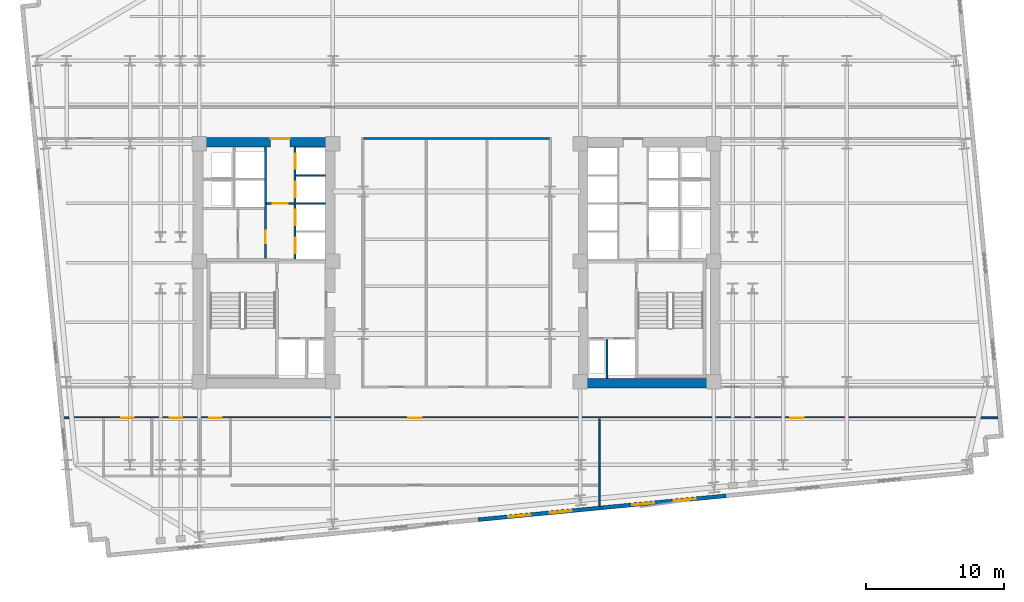
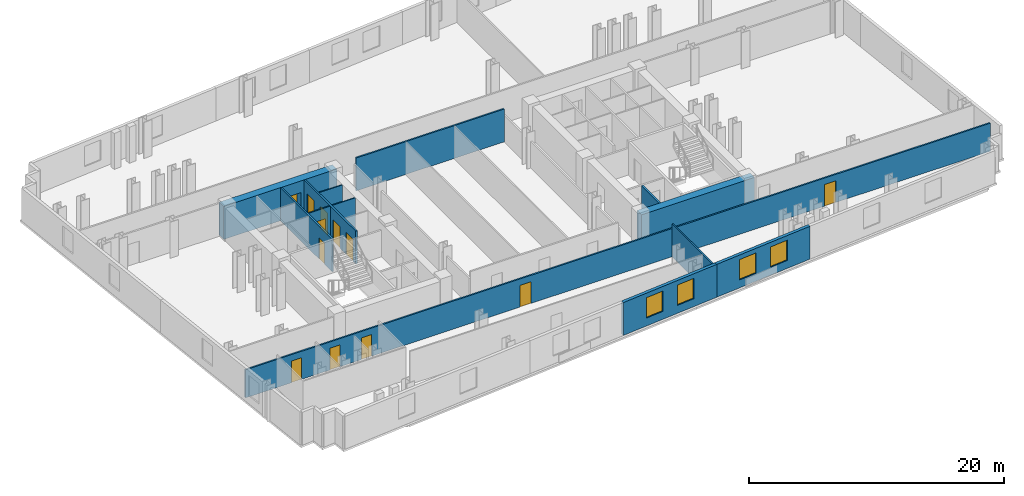
# One storey, part 5 of 10: 13 walls, 12 doors, 4 windows, 16 openings.
"""IFC4 building model written with IfcOpenShell, lengths in metres."""

from ifc_helpers import new_model, si_unit, direction, frame, frame_2d, origin, place, context, subcontext, project, spatial, rectangle, extrude, material, layer, layer_set, type_object, element, fill, save


model = new_model("IFC4")

# Units and contexts
model_context = context("Model", 3, precision=1e-05, world=origin(), true_north=direction((0.0, 1.0)))
body_context = subcontext(model_context, "Body", "Model", "MODEL_VIEW")
ifc_project = project(units=[si_unit("LENGTHUNIT", "METRE"), si_unit("AREAUNIT", "SQUARE_METRE"), si_unit("VOLUMEUNIT", "CUBIC_METRE"), si_unit("PLANEANGLEUNIT", "RADIAN"), si_unit("MASSUNIT", "GRAM", prefix="KILO")], contexts=[model_context])

# Site, building, storey
site_placement = place(None, origin())
site = spatial("IfcSite", under=ifc_project, at=site_placement, CompositionType="ELEMENT")
building_placement = place(site_placement, origin())
building = spatial("IfcBuilding", under=site, at=building_placement, Name="Velakula Bourse", CompositionType="ELEMENT")
storey_placement = place(building_placement, frame((0.0, 0.0, 108.699951171875)))
storey = spatial("IfcBuildingStorey", under=building, at=storey_placement, Name="L29", CompositionType="ELEMENT", Elevation=108.699951171875)

# Wall, opening, door
ifc_material_1 = material(Name="Concrete M70 (fck 70 MPa)", Category="concrete")
ifc_layer_1 = layer(ifc_material_1, 0.699951171875, Name="Concrete M70 (fck 70 MPa)", Category="concrete")
ifc_layer_set_1 = layer_set([ifc_layer_1], Name="Concrete M70 (fck 70 MPa)")
wall_type_1 = type_object("IfcWallType", Name="WL-CORE-700", PredefinedType="SHEAR", material=ifc_layer_set_1)
wall_1_placement = place(storey_placement, frame((-19.050048828125, 8.699951171875, 0.0), z_axis=(0.0, 0.0, 1.0), x_axis=(1.0, 0.0, 0.0)))
wall_1 = element("IfcWall", 1, at=wall_1_placement, inside=storey, type_object=wall_type_1, Name="L29 Core W Shear Wall N", PredefinedType="SHEAR", context=body_context, shape_type="SweptSolid", body=[
    extrude(rectangle(XDim=10.25, YDim=0.699951171875, at=frame_2d((5.125, 0.0))), origin(), (0.0, 0.0, 1.0), 3.170166015625),
])
opening_1_placement = place(wall_1_placement, frame((5.60009765625, 0.0, 0.0)))
opening_1 = element("IfcOpeningElement", 2, at=opening_1_placement, cuts=wall_1, Name="Opening D-LLW", PredefinedType="OPENING", context=body_context, shape_type="SweptSolid", body=[
    extrude(rectangle(XDim=1.39990234375, YDim=2.050048828125, at=frame_2d((0.699951171875, 1.02490234375))), frame((0.0, 0.35986328125, 0.0), z_axis=(0.0, -1.0, 0.0), x_axis=(1.0, 0.0, 0.0)), (0.0, 0.0, 1.0), 0.719970703125),
])
ifc_material_2 = material(Name="Fire-rated hardwood flush architectural door", Category="wood")
door_type_1 = type_object("IfcDoorType", Name="DR-DBL-FD60-1400", OperationType="DOUBLE_DOOR_SINGLE_SWING", PredefinedType="DOOR", material=ifc_material_2)
door_1_placement = place(opening_1_placement, origin())
door_1 = element("IfcDoor", 3, at=door_1_placement, inside=storey, type_object=door_type_1, Name="L29 Core W Lift Lobby Corridor Double Door", OperationType="DOUBLE_DOOR_SINGLE_SWING", OverallHeight=2.050048828125, OverallWidth=1.39990234375, PredefinedType="DOOR", context=body_context, shape_type="SweptSolid", body=[
    extrude(rectangle(XDim=1.39990234375, YDim=2.050048828125, at=frame_2d((0.699951171875, 1.02490234375))), frame((0.0, 0.294921875, 0.0), z_axis=(0.0, -1.0, 0.0), x_axis=(1.0, 0.0, 0.0)), (0.0, 0.0, 1.0), 0.050048828125),
])
fill(opening_1, door_1)

# Wall
wall_2_placement = place(storey_placement, frame((8.800048828125, -8.699951171875, 0.0), z_axis=(0.0, 0.0, 1.0), x_axis=(1.0, 0.0, 0.0)))
element("IfcWall", 4, at=wall_2_placement, inside=storey, type_object=wall_type_1, Name="L29 Core E Shear Wall S", PredefinedType="SHEAR", context=body_context, shape_type="SweptSolid", body=[
    extrude(rectangle(XDim=10.25, YDim=0.699951171875, at=frame_2d((5.125, 0.0))), origin(), (0.0, 0.0, 1.0), 3.170166015625),
])

# Wall, openings, windows
ifc_material_3 = material(Name="Red kilned clay facing brick masonry", Category="masonry")
ifc_layer_2 = layer(ifc_material_3, 0.280029296875, Name="Red kilned clay facing brick masonry", Category="masonry")
ifc_layer_set_2 = layer_set([ifc_layer_2], Name="Red kilned clay facing brick masonry")
wall_type_2 = type_object("IfcWallType", Name="WL-EXT-BRK-280", PredefinedType="STANDARD", material=ifc_layer_set_2)
wall_3_placement = place(storey_placement, frame((10.51513671875, -17.7109375, 0.0), z_axis=(0.0, 0.0, 1.0), x_axis=(-0.995397043619, -0.095836973841, 0.0)))
wall_3 = element("IfcWall", 5, at=wall_3_placement, inside=storey, type_object=wall_type_2, Name="L29 S Brick Spandrel Wall B3", PredefinedType="STANDARD", context=body_context, shape_type="SweptSolid", body=[
    extrude(rectangle(XDim=9.000244140625, YDim=0.280029296875, at=frame_2d((4.5, 0.0))), origin(), (0.0, 0.0, 1.0), 3.150146484375),
])
opening_2_placement = place(wall_3_placement, frame((2.199951171875, 0.0, 0.760009765625)))
opening_2 = element("IfcOpeningElement", 6, at=opening_2_placement, cuts=wall_3, Name="Opening W-02", PredefinedType="OPENING", context=body_context, shape_type="SweptSolid", body=[
    extrude(rectangle(XDim=1.60009765625, YDim=1.949951171875, at=frame_2d((0.800048828125, 0.97509765625))), frame((0.0, 0.14990234375, 0.0), z_axis=(0.0, -1.0, 0.0), x_axis=(1.0, 0.0, 0.0)), (0.0, 0.0, 1.0), 0.300048828125),
])
opening_3_placement = place(wall_3_placement, frame((5.199951171875, 0.0, 0.760009765625)))
opening_3 = element("IfcOpeningElement", 7, at=opening_3_placement, cuts=wall_3, Name="Opening W-02", PredefinedType="OPENING", context=body_context, shape_type="SweptSolid", body=[
    extrude(rectangle(XDim=1.60009765625, YDim=1.949951171875, at=frame_2d((0.800048828125, 0.97509765625))), frame((0.0, 0.14990234375, 0.0), z_axis=(0.0, -1.0, 0.0), x_axis=(1.0, 0.0, 0.0)), (0.0, 0.0, 1.0), 0.300048828125),
])
ifc_material_4 = material(Name="Double-glazed solar-control Low-E glass", Category="glass")
window_type = type_object("IfcWindowType", Name="WIN-TWR-1600x2100", PartitioningType="SINGLE_PANEL", PredefinedType="WINDOW", material=ifc_material_4)
window_1_placement = place(opening_2_placement, origin())
window_1 = element("IfcWindow", 8, at=window_1_placement, inside=storey, type_object=window_type, Name="L29 Deep-Set Recessed Window 1", OverallHeight=1.949951171875, OverallWidth=1.60009765625, PartitioningType="SINGLE_PANEL", PredefinedType="WINDOW", context=body_context, shape_type="SweptSolid", body=[
    extrude(rectangle(XDim=1.60009765625, YDim=1.949951171875, at=frame_2d((0.800048828125, 0.97509765625))), frame((0.0, 0.030029296875, 0.0), z_axis=(0.0, -1.0, 0.0), x_axis=(1.0, 0.0, 0.0)), (0.0, 0.0, 1.0), 0.06005859375),
])
fill(opening_2, window_1)
window_2_placement = place(opening_3_placement, origin())
window_2 = element("IfcWindow", 9, at=window_2_placement, inside=storey, type_object=window_type, Name="L29 Deep-Set Recessed Window 2", OverallHeight=1.949951171875, OverallWidth=1.60009765625, PartitioningType="SINGLE_PANEL", PredefinedType="WINDOW", context=body_context, shape_type="SweptSolid", body=[
    extrude(rectangle(XDim=1.60009765625, YDim=1.949951171875, at=frame_2d((0.800048828125, 0.97509765625))), frame((0.0, 0.030029296875, 0.0), z_axis=(0.0, -1.0, 0.0), x_axis=(1.0, 0.0, 0.0)), (0.0, 0.0, 1.0), 0.06005859375),
])
fill(opening_3, window_2)

wall_4_placement = place(storey_placement, frame((19.4736328125, -16.848388671875, 0.0), z_axis=(0.0, 0.0, 1.0), x_axis=(-0.995396794462, -0.09583956164, 0.0)))
wall_4 = element("IfcWall", 10, at=wall_4_placement, inside=storey, type_object=wall_type_2, Name="L29 S Brick Spandrel Wall B4", PredefinedType="STANDARD", context=body_context, shape_type="SweptSolid", body=[
    extrude(rectangle(XDim=9.0, YDim=0.280029296875, at=frame_2d((4.5, 0.0))), origin(), (0.0, 0.0, 1.0), 3.150146484375),
])
opening_4_placement = place(wall_4_placement, frame((2.199951171875, 0.0, 0.760009765625)))
opening_4 = element("IfcOpeningElement", 11, at=opening_4_placement, cuts=wall_4, Name="Opening W-02", PredefinedType="OPENING", context=body_context, shape_type="SweptSolid", body=[
    extrude(rectangle(XDim=1.60009765625, YDim=1.949951171875, at=frame_2d((0.800048828125, 0.97509765625))), frame((0.0, 0.14990234375, 0.0), z_axis=(0.0, -1.0, 0.0), x_axis=(1.0, 0.0, 0.0)), (0.0, 0.0, 1.0), 0.300048828125),
])
opening_5_placement = place(wall_4_placement, frame((5.199951171875, 0.0, 0.760009765625)))
opening_5 = element("IfcOpeningElement", 12, at=opening_5_placement, cuts=wall_4, Name="Opening W-02", PredefinedType="OPENING", context=body_context, shape_type="SweptSolid", body=[
    extrude(rectangle(XDim=1.60009765625, YDim=1.949951171875, at=frame_2d((0.800048828125, 0.97509765625))), frame((0.0, 0.14990234375, 0.0), z_axis=(0.0, -1.0, 0.0), x_axis=(1.0, 0.0, 0.0)), (0.0, 0.0, 1.0), 0.300048828125),
])
window_3_placement = place(opening_4_placement, origin())
window_3 = element("IfcWindow", 13, at=window_3_placement, inside=storey, type_object=window_type, Name="L29 Deep-Set Recessed Window 1", OverallHeight=1.949951171875, OverallWidth=1.60009765625, PartitioningType="SINGLE_PANEL", PredefinedType="WINDOW", context=body_context, shape_type="SweptSolid", body=[
    extrude(rectangle(XDim=1.60009765625, YDim=1.949951171875, at=frame_2d((0.800048828125, 0.97509765625))), frame((0.0, 0.030029296875, 0.0), z_axis=(0.0, -1.0, 0.0), x_axis=(1.0, 0.0, 0.0)), (0.0, 0.0, 1.0), 0.06005859375),
])
fill(opening_4, window_3)
window_4_placement = place(opening_5_placement, origin())
window_4 = element("IfcWindow", 14, at=window_4_placement, inside=storey, type_object=window_type, Name="L29 Deep-Set Recessed Window 2", OverallHeight=1.949951171875, OverallWidth=1.60009765625, PartitioningType="SINGLE_PANEL", PredefinedType="WINDOW", context=body_context, shape_type="SweptSolid", body=[
    extrude(rectangle(XDim=1.60009765625, YDim=1.949951171875, at=frame_2d((0.800048828125, 0.97509765625))), frame((0.0, 0.030029296875, 0.0), z_axis=(0.0, -1.0, 0.0), x_axis=(1.0, 0.0, 0.0)), (0.0, 0.0, 1.0), 0.06005859375),
])
fill(opening_5, window_4)

# Wall, opening, door
ifc_material_5 = material(Name="Fire-rated double-layer gypsum drywall partition", Category="gypsum")
ifc_layer_3 = layer(ifc_material_5, 0.1201171875, Name="Fire-rated double-layer gypsum drywall partition", Category="gypsum")
ifc_layer_set_3 = layer_set([ifc_layer_3], Name="Fire-rated double-layer gypsum drywall partition")
wall_type_3 = type_object("IfcWallType", Name="WL-PART-120", PredefinedType="STANDARD", material=ifc_layer_set_3)
wall_5_placement = place(storey_placement, frame((-13.75, 4.280029296875, 0.0), z_axis=(0.0, 0.0, 1.0), x_axis=(1.0, 0.0, 0.0)))
wall_5 = element("IfcWall", 15, at=wall_5_placement, inside=storey, type_object=wall_type_3, Name="L29 Interior Partition WL-CRW-L29-LL-K2", PredefinedType="STANDARD", context=body_context, shape_type="SweptSolid", body=[
    extrude(rectangle(XDim=2.0, YDim=0.1201171875, at=frame_2d((1.0, 0.0))), origin(), (0.0, 0.0, 1.0), 3.150146484375),
])
opening_6_placement = place(wall_5_placement, frame((0.449951171875, 0.0, 0.0)))
opening_6 = element("IfcOpeningElement", 16, at=opening_6_placement, cuts=wall_5, Name="Opening D-LK2", PredefinedType="OPENING", context=body_context, shape_type="SweptSolid", body=[
    extrude(rectangle(XDim=1.10009765625, YDim=2.10009765625, at=frame_2d((0.550048828125, 1.050048828125))), frame((0.0, 0.070068359375, 0.0), z_axis=(0.0, -1.0, 0.0), x_axis=(1.0, 0.0, 0.0)), (0.0, 0.0, 1.0), 0.14013671875),
])
door_type_2 = type_object("IfcDoorType", Name="DR-FD60-1100x2100", OperationType="NOTDEFINED", PredefinedType="DOOR", material=ifc_material_2)
door_2_placement = place(opening_6_placement, origin())
door_2 = element("IfcDoor", 17, at=door_2_placement, inside=storey, type_object=door_type_2, Name="L29 Core W Lift Lobby Zone Door", OperationType="SINGLE_SWING_RIGHT", OverallHeight=2.10009765625, OverallWidth=1.10009765625, PredefinedType="DOOR", context=body_context, shape_type="SweptSolid", body=[
    extrude(rectangle(XDim=1.10009765625, YDim=2.10009765625, at=frame_2d((0.550048828125, 1.050048828125))), frame((0.0, 0.02490234375, 0.0), z_axis=(0.0, -1.0, 0.0), x_axis=(1.0, 0.0, 0.0)), (0.0, 0.0, 1.0), 0.050048828125),
])
fill(opening_6, door_2)

# Walls
for number, where, z_axis, x_axis, name in (
    (18, (-11.60009765625, 4.284912109375, 0.0), (0.0, 0.0, 1.0), (1.0, 0.0, 0.0), "L29 Interior Partition WL-CRW-L29-BDIV-1"),
    (19, (-11.60009765625, 6.31494140625, 0.0), (0.0, 0.0, 1.0), (1.0, 0.0, 0.0), "L29 Interior Partition WL-CRW-L29-BDIV-2"),
):
    element("IfcWall", number, at=place(storey_placement, frame(where, z_axis=z_axis, x_axis=x_axis)), inside=storey, type_object=wall_type_3, Name=name, PredefinedType="STANDARD", context=body_context, shape_type="SweptSolid", body=[
        extrude(rectangle(XDim=2.10009765625, YDim=0.110107421875, at=frame_2d((1.050048828125, 0.0))), origin(), (0.0, 0.0, 1.0), 3.150146484375),
    ])
wall_6_placement = place(storey_placement, frame((10.31689453125, -17.609375, 0.0), z_axis=(0.0, 0.0, 1.0), x_axis=(0.0, 1.0, 0.0)))
element("IfcWall", 20, at=wall_6_placement, inside=storey, type_object=wall_type_3, Name="L29 Interior Partition WL-INT-L29-SR-D5", PredefinedType="STANDARD", context=body_context, shape_type="SweptSolid", body=[
    extrude(rectangle(XDim=6.3193359375, YDim=0.1201171875, at=frame_2d((3.15966796875, 0.0))), origin(), (0.0, 0.0, 1.0), 3.150146484375),
])

# Wall, openings, doors
ifc_layer_4 = layer(ifc_material_5, 0.139892578125, Name="Fire-rated double-layer gypsum drywall partition", Category="gypsum")
ifc_layer_set_4 = layer_set([ifc_layer_4], Name="Fire-rated double-layer gypsum drywall partition")
wall_type_4 = type_object("IfcWallType", Name="WL-PART-140", PredefinedType="STANDARD", material=ifc_layer_set_4)
wall_7_placement = place(storey_placement, frame((-28.40625, -11.219970703125, 0.0), z_axis=(0.0, 0.0, 1.0), x_axis=(1.0, 0.0, 0.0)))
wall_7 = element("IfcWall", 21, at=wall_7_placement, inside=storey, type_object=wall_type_4, Name="L29 Interior Partition WL-INT-L29-S-CORR", PredefinedType="STANDARD", context=body_context, shape_type="SweptSolid", body=[
    extrude(rectangle(XDim=67.551025390625, YDim=0.139892578125, at=frame_2d((33.775390625, 0.0))), origin(), (0.0, 0.0, 1.0), 2.695068359375),
])
opening_7_placement = place(wall_7_placement, frame((4.1572265625, 0.0, 0.0)))
opening_7 = element("IfcOpeningElement", 22, at=opening_7_placement, cuts=wall_7, Name="Opening D-WT1", PredefinedType="OPENING", context=body_context, shape_type="SweptSolid", body=[
    extrude(rectangle(XDim=0.919921875, YDim=2.080078125, at=frame_2d((0.4599609375, 1.0400390625))), frame((0.0, 0.079833984375, 0.0), z_axis=(0.0, -1.0, 0.0), x_axis=(1.0, 0.0, 0.0)), (0.0, 0.0, 1.0), 0.159912109375),
])
opening_8_placement = place(wall_7_placement, frame((7.6572265625, 0.0, 0.0)))
opening_8 = element("IfcOpeningElement", 23, at=opening_8_placement, cuts=wall_7, Name="Opening D-WT1", PredefinedType="OPENING", context=body_context, shape_type="SweptSolid", body=[
    extrude(rectangle(XDim=0.919921875, YDim=2.080078125, at=frame_2d((0.4599609375, 1.0400390625))), frame((0.0, 0.079833984375, 0.0), z_axis=(0.0, -1.0, 0.0), x_axis=(1.0, 0.0, 0.0)), (0.0, 0.0, 1.0), 0.159912109375),
])
opening_9_placement = place(wall_7_placement, frame((10.50732421875, 0.0, 0.0)))
opening_9 = element("IfcOpeningElement", 24, at=opening_9_placement, cuts=wall_7, Name="Opening D-WC1", PredefinedType="OPENING", context=body_context, shape_type="SweptSolid", body=[
    extrude(rectangle(XDim=0.919921875, YDim=2.080078125, at=frame_2d((0.4599609375, 1.0400390625))), frame((0.0, 0.079833984375, 0.0), z_axis=(0.0, -1.0, 0.0), x_axis=(1.0, 0.0, 0.0)), (0.0, 0.0, 1.0), 0.159912109375),
])
opening_10_placement = place(wall_7_placement, frame((24.895263671875, 0.0, 0.0)))
opening_10 = element("IfcOpeningElement", 25, at=opening_10_placement, cuts=wall_7, Name="Opening D-OF1", PredefinedType="OPENING", context=body_context, shape_type="SweptSolid", body=[
    extrude(rectangle(XDim=1.0, YDim=2.080078125, at=frame_2d((0.5, 1.0400390625))), frame((0.0, 0.079833984375, 0.0), z_axis=(0.0, -1.0, 0.0), x_axis=(1.0, 0.0, 0.0)), (0.0, 0.0, 1.0), 0.159912109375),
])
opening_11_placement = place(wall_7_placement, frame((52.510986328125, 0.0, 0.0)))
opening_11 = element("IfcOpeningElement", 26, at=opening_11_placement, cuts=wall_7, Name="Opening D-OF1", PredefinedType="OPENING", context=body_context, shape_type="SweptSolid", body=[
    extrude(rectangle(XDim=1.0, YDim=2.080078125, at=frame_2d((0.5, 1.0400390625))), frame((0.0, 0.079833984375, 0.0), z_axis=(0.0, -1.0, 0.0), x_axis=(1.0, 0.0, 0.0)), (0.0, 0.0, 1.0), 0.159912109375),
])
door_type_3 = type_object("IfcDoorType", Name="DR-OFF-1000", OperationType="NOTDEFINED", PredefinedType="DOOR", material=ifc_material_2)
door_3_placement = place(opening_10_placement, origin())
door_3 = element("IfcDoor", 27, at=door_3_placement, inside=storey, type_object=door_type_3, Name="L29 Margin Control Office Door", OperationType="SINGLE_SWING_RIGHT", OverallHeight=2.080078125, OverallWidth=1.0, PredefinedType="DOOR", context=body_context, shape_type="SweptSolid", body=[
    extrude(rectangle(XDim=1.0, YDim=2.080078125, at=frame_2d((0.5, 1.0400390625))), frame((0.0, 0.02490234375, 0.0), z_axis=(0.0, -1.0, 0.0), x_axis=(1.0, 0.0, 0.0)), (0.0, 0.0, 1.0), 0.050048828125),
])
fill(opening_10, door_3)
door_4_placement = place(opening_11_placement, origin())
door_4 = element("IfcDoor", 28, at=door_4_placement, inside=storey, type_object=door_type_3, Name="L29 Bullion Assay Office Door", OperationType="SINGLE_SWING_RIGHT", OverallHeight=2.080078125, OverallWidth=1.0, PredefinedType="DOOR", context=body_context, shape_type="SweptSolid", body=[
    extrude(rectangle(XDim=1.0, YDim=2.080078125, at=frame_2d((0.5, 1.0400390625))), frame((0.0, 0.02490234375, 0.0), z_axis=(0.0, -1.0, 0.0), x_axis=(1.0, 0.0, 0.0)), (0.0, 0.0, 1.0), 0.050048828125),
])
fill(opening_11, door_4)
door_type_4 = type_object("IfcDoorType", Name="DR-WC-950", OperationType="NOTDEFINED", PredefinedType="DOOR", material=ifc_material_2)
door_5_placement = place(opening_7_placement, origin())
door_5 = element("IfcDoor", 29, at=door_5_placement, inside=storey, type_object=door_type_4, Name="L29 Male Staff Toilet Door", OperationType="SINGLE_SWING_LEFT", OverallHeight=2.080078125, OverallWidth=0.919921875, PredefinedType="DOOR", context=body_context, shape_type="SweptSolid", body=[
    extrude(rectangle(XDim=0.919921875, YDim=2.080078125, at=frame_2d((0.4599609375, 1.0400390625))), frame((0.0, 0.02490234375, 0.0), z_axis=(0.0, -1.0, 0.0), x_axis=(1.0, 0.0, 0.0)), (0.0, 0.0, 1.0), 0.050048828125),
])
fill(opening_7, door_5)
door_6_placement = place(opening_8_placement, origin())
door_6 = element("IfcDoor", 30, at=door_6_placement, inside=storey, type_object=door_type_4, Name="L29 Female Staff Toilet Door", OperationType="SINGLE_SWING_RIGHT", OverallHeight=2.080078125, OverallWidth=0.919921875, PredefinedType="DOOR", context=body_context, shape_type="SweptSolid", body=[
    extrude(rectangle(XDim=0.919921875, YDim=2.080078125, at=frame_2d((0.4599609375, 1.0400390625))), frame((0.0, 0.02490234375, 0.0), z_axis=(0.0, -1.0, 0.0), x_axis=(1.0, 0.0, 0.0)), (0.0, 0.0, 1.0), 0.050048828125),
])
fill(opening_8, door_6)
door_7_placement = place(opening_9_placement, origin())
door_7 = element("IfcDoor", 31, at=door_7_placement, inside=storey, type_object=door_type_4, Name="L29 Accessible WC Door", OperationType="SINGLE_SWING_LEFT", OverallHeight=2.080078125, OverallWidth=0.919921875, PredefinedType="DOOR", context=body_context, shape_type="SweptSolid", body=[
    extrude(rectangle(XDim=0.919921875, YDim=2.080078125, at=frame_2d((0.4599609375, 1.0400390625))), frame((0.0, 0.02490234375, 0.0), z_axis=(0.0, -1.0, 0.0), x_axis=(1.0, 0.0, 0.0)), (0.0, 0.0, 1.0), 0.050048828125),
])
fill(opening_9, door_7)

# Wall
wall_8_placement = place(storey_placement, frame((-6.7099609375, 8.97998046875, 0.0), z_axis=(0.0, 0.0, 1.0), x_axis=(1.0, 0.0, 0.0)))
element("IfcWall", 32, at=wall_8_placement, inside=storey, type_object=wall_type_4, Name="L29 Interior Partition WL-INT-L29-MID-N", PredefinedType="STANDARD", context=body_context, shape_type="SweptSolid", body=[
    extrude(rectangle(XDim=13.419921875, YDim=0.139892578125, at=frame_2d((6.7099609375, 0.0))), origin(), (0.0, 0.0, 1.0), 3.150146484375),
])

# Wall, openings, doors
ifc_material_6 = material(Name="Autoclaved aerated concrete blockwork masonry", Category="masonry")
ifc_layer_5 = layer(ifc_material_6, 0.14990234375, Name="Autoclaved aerated concrete blockwork masonry", Category="masonry")
ifc_layer_set_5 = layer_set([ifc_layer_5], Name="Autoclaved aerated concrete blockwork masonry")
wall_type_5 = type_object("IfcWallType", Name="WL-SHAFT-150", PredefinedType="STANDARD", material=ifc_layer_set_5)
wall_9_placement = place(storey_placement, frame((-11.675048828125, 0.27001953125, 0.0), z_axis=(0.0, 0.0, 1.0), x_axis=(0.0, 1.0, 0.0)))
wall_9 = element("IfcWall", 33, at=wall_9_placement, inside=storey, type_object=wall_type_5, Name="L29 Interior Partition WL-CRW-L29-BANK-F", PredefinedType="STANDARD", context=body_context, shape_type="SweptSolid", body=[
    extrude(rectangle(XDim=8.080078125, YDim=0.14990234375, at=frame_2d((4.0400390625, 0.0))), origin(), (0.0, 0.0, 1.0), 3.150146484375),
])
opening_12_placement = place(wall_9_placement, frame((0.419921875, 0.0, 0.0)))
opening_12 = element("IfcOpeningElement", 34, at=opening_12_placement, cuts=wall_9, Name="Opening LD-P1", PredefinedType="OPENING", context=body_context, shape_type="SweptSolid", body=[
    extrude(rectangle(XDim=1.10009765625, YDim=2.10009765625, at=frame_2d((0.550048828125, 1.050048828125))), frame((0.0, 0.0849609375, 0.0), z_axis=(0.0, -1.0, 0.0), x_axis=(1.0, 0.0, 0.0)), (0.0, 0.0, 1.0), 0.169921875),
])
opening_13_placement = place(wall_9_placement, frame((2.449951171875, 0.0, 0.0)))
opening_13 = element("IfcOpeningElement", 35, at=opening_13_placement, cuts=wall_9, Name="Opening LD-P2", PredefinedType="OPENING", context=body_context, shape_type="SweptSolid", body=[
    extrude(rectangle(XDim=1.10009765625, YDim=2.10009765625, at=frame_2d((0.550048828125, 1.050048828125))), frame((0.0, 0.0849609375, 0.0), z_axis=(0.0, -1.0, 0.0), x_axis=(1.0, 0.0, 0.0)), (0.0, 0.0, 1.0), 0.169921875),
])
opening_14_placement = place(wall_9_placement, frame((4.47998046875, 0.0, 0.0)))
opening_14 = element("IfcOpeningElement", 36, at=opening_14_placement, cuts=wall_9, Name="Opening LD-P3", PredefinedType="OPENING", context=body_context, shape_type="SweptSolid", body=[
    extrude(rectangle(XDim=1.10009765625, YDim=2.10009765625, at=frame_2d((0.550048828125, 1.050048828125))), frame((0.0, 0.0849609375, 0.0), z_axis=(0.0, -1.0, 0.0), x_axis=(1.0, 0.0, 0.0)), (0.0, 0.0, 1.0), 0.169921875),
])
opening_15_placement = place(wall_9_placement, frame((6.510009765625, 0.0, 0.0)))
opening_15 = element("IfcOpeningElement", 37, at=opening_15_placement, cuts=wall_9, Name="Opening LD-P4", PredefinedType="OPENING", context=body_context, shape_type="SweptSolid", body=[
    extrude(rectangle(XDim=1.10009765625, YDim=2.10009765625, at=frame_2d((0.550048828125, 1.050048828125))), frame((0.0, 0.0849609375, 0.0), z_axis=(0.0, -1.0, 0.0), x_axis=(1.0, 0.0, 0.0)), (0.0, 0.0, 1.0), 0.169921875),
])
ifc_material_7 = material(Name="Brushed grade 316 stainless steel", Category="steel")
door_type_5 = type_object("IfcDoorType", Name="DR-SLIDE-LD-1100", OperationType="DOUBLE_DOOR_SLIDING", PredefinedType="DOOR", material=ifc_material_7)
door_8_placement = place(opening_12_placement, origin())
door_8 = element("IfcDoor", 38, at=door_8_placement, inside=storey, type_object=door_type_5, Name="L29 Passenger Lift P1 Sliding Landing Door", OperationType="DOUBLE_DOOR_SLIDING", OverallHeight=2.10009765625, OverallWidth=1.10009765625, PredefinedType="DOOR", context=body_context, shape_type="SweptSolid", body=[
    extrude(rectangle(XDim=1.10009765625, YDim=2.10009765625, at=frame_2d((0.550048828125, 1.050048828125))), frame((0.0, 0.02490234375, 0.0), z_axis=(0.0, -1.0, 0.0), x_axis=(1.0, 0.0, 0.0)), (0.0, 0.0, 1.0), 0.050048828125),
])
fill(opening_12, door_8)
door_9_placement = place(opening_13_placement, origin())
door_9 = element("IfcDoor", 39, at=door_9_placement, inside=storey, type_object=door_type_5, Name="L29 Passenger Lift P2 Sliding Landing Door", OperationType="DOUBLE_DOOR_SLIDING", OverallHeight=2.10009765625, OverallWidth=1.10009765625, PredefinedType="DOOR", context=body_context, shape_type="SweptSolid", body=[
    extrude(rectangle(XDim=1.10009765625, YDim=2.10009765625, at=frame_2d((0.550048828125, 1.050048828125))), frame((0.0, 0.02490234375, 0.0), z_axis=(0.0, -1.0, 0.0), x_axis=(1.0, 0.0, 0.0)), (0.0, 0.0, 1.0), 0.050048828125),
])
fill(opening_13, door_9)
door_10_placement = place(opening_14_placement, origin())
door_10 = element("IfcDoor", 40, at=door_10_placement, inside=storey, type_object=door_type_5, Name="L29 Passenger Lift P3 Sliding Landing Door", OperationType="DOUBLE_DOOR_SLIDING", OverallHeight=2.10009765625, OverallWidth=1.10009765625, PredefinedType="DOOR", context=body_context, shape_type="SweptSolid", body=[
    extrude(rectangle(XDim=1.10009765625, YDim=2.10009765625, at=frame_2d((0.550048828125, 1.050048828125))), frame((0.0, 0.02490234375, 0.0), z_axis=(0.0, -1.0, 0.0), x_axis=(1.0, 0.0, 0.0)), (0.0, 0.0, 1.0), 0.050048828125),
])
fill(opening_14, door_10)
door_11_placement = place(opening_15_placement, origin())
door_11 = element("IfcDoor", 41, at=door_11_placement, inside=storey, type_object=door_type_5, Name="L29 Passenger Lift P4 Sliding Landing Door", OperationType="DOUBLE_DOOR_SLIDING", OverallHeight=2.10009765625, OverallWidth=1.10009765625, PredefinedType="DOOR", context=body_context, shape_type="SweptSolid", body=[
    extrude(rectangle(XDim=1.10009765625, YDim=2.10009765625, at=frame_2d((0.550048828125, 1.050048828125))), frame((0.0, 0.02490234375, 0.0), z_axis=(0.0, -1.0, 0.0), x_axis=(1.0, 0.0, 0.0)), (0.0, 0.0, 1.0), 0.050048828125),
])
fill(opening_15, door_11)

# Wall, opening, door
wall_10_placement = place(storey_placement, frame((-13.824951171875, 0.27001953125, 0.0), z_axis=(0.0, 0.0, 1.0), x_axis=(0.0, 1.0, 0.0)))
wall_10 = element("IfcWall", 42, at=wall_10_placement, inside=storey, type_object=wall_type_5, Name="L29 Interior Partition WL-CRW-L29-OUT-F", PredefinedType="STANDARD", context=body_context, shape_type="SweptSolid", body=[
    extrude(rectangle(XDim=8.080078125, YDim=0.14990234375, at=frame_2d((4.0400390625, 0.0))), origin(), (0.0, 0.0, 1.0), 3.150146484375),
])
opening_16_placement = place(wall_10_placement, frame((1.14990234375, 0.0, 0.0)))
opening_16 = element("IfcOpeningElement", 43, at=opening_16_placement, cuts=wall_10, Name="Opening D-CP1", PredefinedType="OPENING", context=body_context, shape_type="SweptSolid", body=[
    extrude(rectangle(XDim=0.89990234375, YDim=2.050048828125, at=frame_2d((0.449951171875, 1.02490234375))), frame((0.0, 0.0849609375, 0.0), z_axis=(0.0, -1.0, 0.0), x_axis=(1.0, 0.0, 0.0)), (0.0, 0.0, 1.0), 0.169921875),
])
door_type_6 = type_object("IfcDoorType", Name="DR-INT-900", OperationType="NOTDEFINED", PredefinedType="DOOR", material=ifc_material_2)
door_12_placement = place(opening_16_placement, origin())
door_12 = element("IfcDoor", 44, at=door_12_placement, inside=storey, type_object=door_type_6, Name="L29 Core Tea Pantry Door", OperationType="SINGLE_SWING_RIGHT", OverallHeight=2.050048828125, OverallWidth=0.89990234375, PredefinedType="DOOR", context=body_context, shape_type="SweptSolid", body=[
    extrude(rectangle(XDim=0.89990234375, YDim=2.050048828125, at=frame_2d((0.449951171875, 1.02490234375))), frame((0.0, 0.02490234375, 0.0), z_axis=(0.0, -1.0, 0.0), x_axis=(1.0, 0.0, 0.0)), (0.0, 0.0, 1.0), 0.050048828125),
])
fill(opening_16, door_12)

# Wall
wall_11_placement = place(storey_placement, frame((10.875, -8.35009765625, 0.0), z_axis=(0.0, 0.0, 1.0), x_axis=(0.0, 1.0, 0.0)))
element("IfcWall", 45, at=wall_11_placement, inside=storey, type_object=wall_type_5, Name="L29 Interior Partition WL-CRE-L29-FR-DIV", PredefinedType="STANDARD", context=body_context, shape_type="SweptSolid", body=[
    extrude(rectangle(XDim=2.800048828125, YDim=0.14990234375, at=frame_2d((1.39990234375, 0.0))), origin(), (0.0, 0.0, 1.0), 3.150146484375),
])

save(model, "model.ifc")
